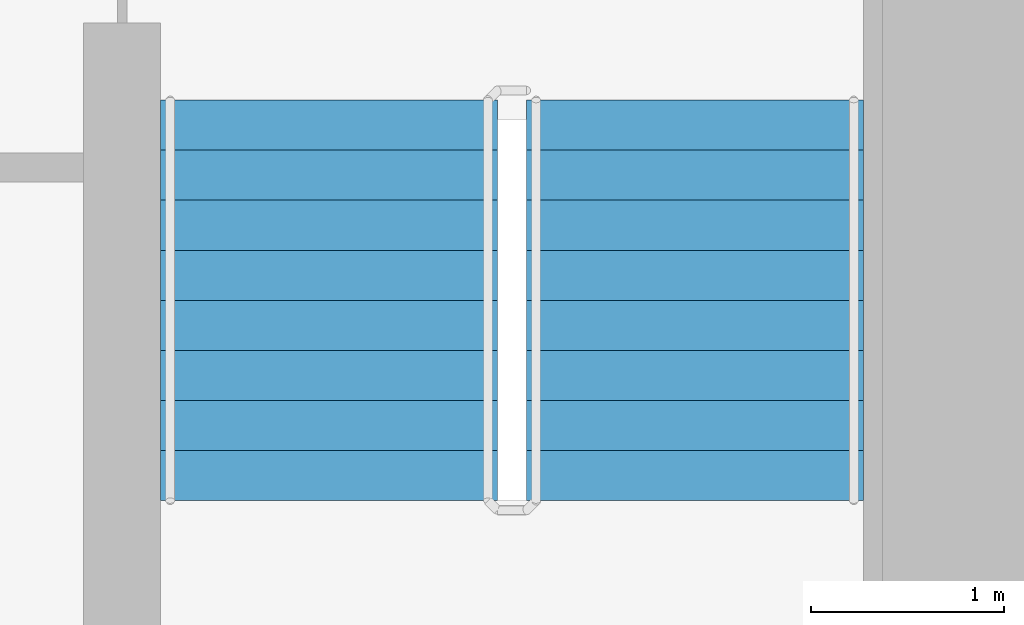
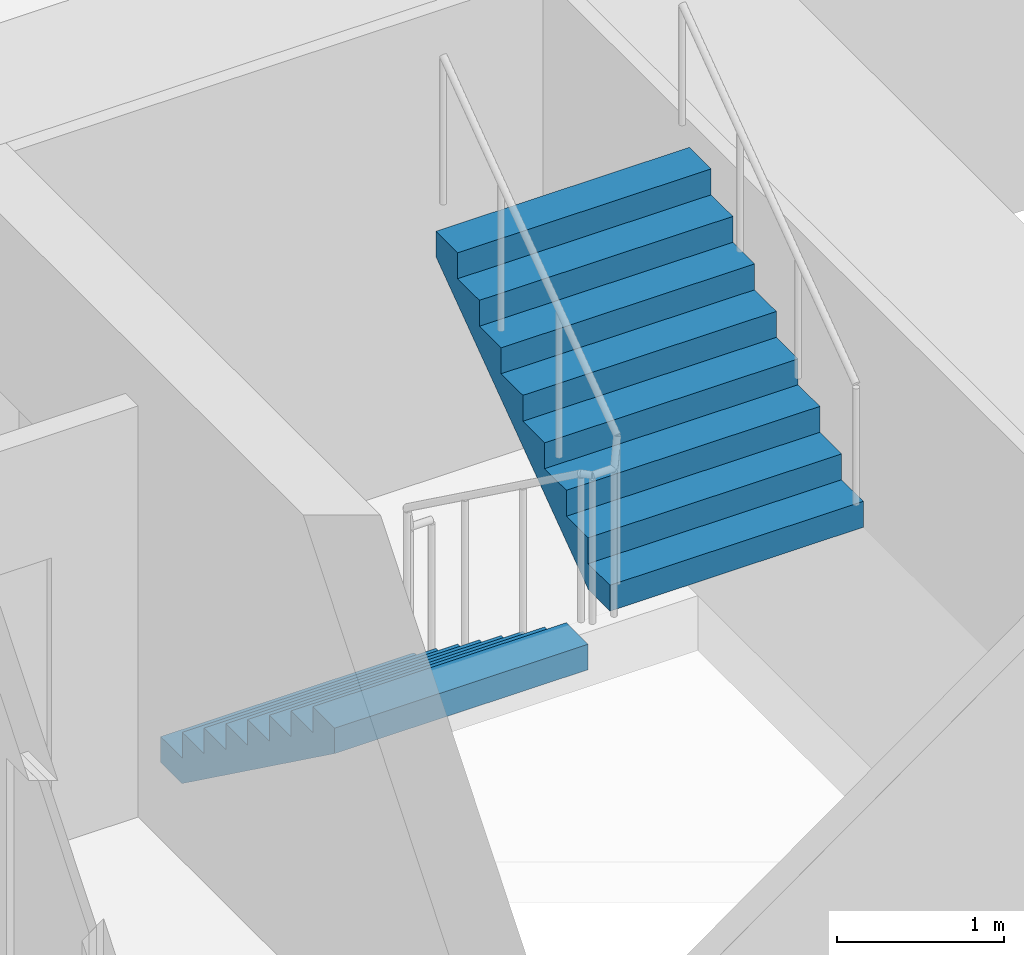
# One storey, part 19 of 22: 2 stair flights, 1 element without a shape of its own.
"""IFC4 building model written with IfcOpenShell, lengths in metres."""

from ifc_helpers import new_model, si_unit, direction, frame, origin, place, context, subcontext, project, spatial, faceted_brep, material, type_object, element, aggregate, save


model = new_model("IFC4")

# Units and contexts
model_context = context("Model", 3, precision=1e-05, world=origin(), true_north=direction((0.0, 1.0)))
body_context = subcontext(model_context, "Body", "Model", "MODEL_VIEW")
ifc_project = project(units=[si_unit("LENGTHUNIT", "METRE"), si_unit("AREAUNIT", "SQUARE_METRE"), si_unit("VOLUMEUNIT", "CUBIC_METRE"), si_unit("PLANEANGLEUNIT", "RADIAN"), si_unit("MASSUNIT", "GRAM", prefix="KILO")], contexts=[model_context])

# Site, building, storey
site_placement = place(None, origin())
site = spatial("IfcSite", under=ifc_project, at=site_placement, CompositionType="ELEMENT")
building_placement = place(site_placement, origin())
building = spatial("IfcBuilding", under=site, at=building_placement, Name="Ipe Terrace Towers", CompositionType="ELEMENT")
storey_placement = place(building_placement, frame((0.0, 0.0, 55.10009765625)))
storey = spatial("IfcBuildingStorey", under=building, at=storey_placement, Name="L14", CompositionType="ELEMENT", Elevation=55.10009765625)

# Stair, stair flights
ifc_material_1 = material(Name="Concrete C30/37", Category="concrete")
stair_type = type_object("IfcStairType", Name="Protected exit stair", PredefinedType="HALF_TURN_STAIR", material=ifc_material_1)
stair_placement = place(storey_placement, origin())
stair = element("IfcStair", 1, at=stair_placement, inside=storey, type_object=stair_type, Name="L14 Exit stair T2-C2", PredefinedType="HALF_TURN_STAIR")
ifc_material_2 = material(Name="Concrete C30/37", Category="concrete")
stair_flight_type = type_object("IfcStairFlightType", Name="Exit stair flight 1750", PredefinedType="STRAIGHT", material=ifc_material_2)
stair_flight_1_placement = place(storey_placement, frame((38.77490234375, -9.699951171875, 0.0), z_axis=(0.0, 0.0, 1.0), x_axis=(0.0, -1.0, 0.0)))
stair_flight_1 = element("IfcStairFlight", 2, at=stair_flight_1_placement, type_object=stair_flight_type, Name="T2-ST2 flight 1", NumberOfRisers=9, NumberOfTreads=8, PredefinedType="STRAIGHT", RiserHeight=0.188888889, TreadLength=0.26, context=body_context, shape_type="Brep", body=[
    faceted_brep([(0.255126953125, -0.875, 0.0), (2.080078125, -0.875, 1.325927734375), (2.080078125, -0.875, 1.51123046875), (1.820068359375, -0.875, 1.51123046875), (1.820068359375, -0.875, 1.322265625), (1.56005859375, -0.875, 1.322265625), (1.56005859375, -0.875, 1.13330078125), (1.300048828125, -0.875, 1.13330078125), (1.300048828125, -0.875, 0.9443359375), (1.0400390625, -0.875, 0.9443359375), (1.0400390625, -0.875, 0.755615234375), (0.780029296875, -0.875, 0.755615234375), (0.780029296875, -0.875, 0.566650390625), (0.52001953125, -0.875, 0.566650390625), (0.52001953125, -0.875, 0.377685546875), (0.260009765625, -0.875, 0.377685546875), (0.260009765625, -0.875, 0.18896484375), (0.0, -0.875, 0.18896484375), (0.0, -0.875, 0.0), (0.0, 0.875, 0.0), (0.0, 0.875, 0.18896484375), (0.260009765625, 0.875, 0.18896484375), (0.260009765625, 0.875, 0.377685546875), (0.52001953125, 0.875, 0.377685546875), (0.52001953125, 0.875, 0.566650390625), (0.780029296875, 0.875, 0.566650390625), (0.780029296875, 0.875, 0.755615234375), (1.0400390625, 0.875, 0.755615234375), (1.0400390625, 0.875, 0.9443359375), (1.300048828125, 0.875, 0.9443359375), (1.300048828125, 0.875, 1.13330078125), (1.56005859375, 0.875, 1.13330078125), (1.56005859375, 0.875, 1.322265625), (1.820068359375, 0.875, 1.322265625), (1.820068359375, 0.875, 1.51123046875), (2.080078125, 0.875, 1.51123046875), (2.080078125, 0.875, 1.325927734375), (0.255126953125, 0.875, 0.0), (0.0, -0.300048828125, 0.18896484375), (0.0, -0.1201171875, 0.18896484375), (0.0, -0.06005859375, 0.18896484375), (0.0, -0.030029296875, 0.18896484375), (0.0, -0.010009765625, 0.18896484375), (0.0, 0.0, 0.18896484375), (0.0, 0.010009765625, 0.18896484375), (0.0, 0.030029296875, 0.18896484375), (0.0, 0.06005859375, 0.18896484375), (0.0, 0.1201171875, 0.18896484375), (0.0, 0.300048828125, 0.18896484375), (0.0, 0.300048828125, 0.0), (0.0, 0.1201171875, 0.0), (0.0, 0.06005859375, 0.0), (0.0, 0.030029296875, 0.0), (0.0, 0.010009765625, 0.0), (0.0, 0.0, 0.0), (0.0, -0.010009765625, 0.0), (0.0, -0.030029296875, 0.0), (0.0, -0.06005859375, 0.0), (0.0, -0.1201171875, 0.0), (0.0, -0.300048828125, 0.0), (0.260009765625, -0.300048828125, 0.18896484375), (0.260009765625, -0.1201171875, 0.18896484375), (0.260009765625, -0.06005859375, 0.18896484375), (0.260009765625, -0.030029296875, 0.18896484375), (0.260009765625, -0.010009765625, 0.18896484375), (0.260009765625, 0.0, 0.18896484375), (0.260009765625, 0.010009765625, 0.18896484375), (0.260009765625, 0.030029296875, 0.18896484375), (0.260009765625, 0.06005859375, 0.18896484375), (0.260009765625, 0.1201171875, 0.18896484375), (0.260009765625, 0.300048828125, 0.18896484375), (0.260009765625, -0.300048828125, 0.377685546875), (0.260009765625, -0.1201171875, 0.377685546875), (0.260009765625, -0.06005859375, 0.377685546875), (0.260009765625, -0.030029296875, 0.377685546875), (0.260009765625, -0.010009765625, 0.377685546875), (0.260009765625, 0.0, 0.377685546875), (0.260009765625, 0.010009765625, 0.377685546875), (0.260009765625, 0.030029296875, 0.377685546875), (0.260009765625, 0.06005859375, 0.377685546875), (0.260009765625, 0.1201171875, 0.377685546875), (0.260009765625, 0.300048828125, 0.377685546875), (0.52001953125, -0.300048828125, 0.377685546875), (0.52001953125, -0.1201171875, 0.377685546875), (0.52001953125, -0.06005859375, 0.377685546875), (0.52001953125, -0.030029296875, 0.377685546875), (0.52001953125, -0.010009765625, 0.377685546875), (0.52001953125, 0.0, 0.377685546875), (0.52001953125, 0.010009765625, 0.377685546875), (0.52001953125, 0.030029296875, 0.377685546875), (0.52001953125, 0.06005859375, 0.377685546875), (0.52001953125, 0.1201171875, 0.377685546875), (0.52001953125, 0.300048828125, 0.377685546875), (0.52001953125, -0.300048828125, 0.566650390625), (0.52001953125, -0.1201171875, 0.566650390625), (0.52001953125, -0.06005859375, 0.566650390625), (0.52001953125, -0.030029296875, 0.566650390625), (0.52001953125, -0.010009765625, 0.566650390625), (0.52001953125, 0.0, 0.566650390625), (0.52001953125, 0.010009765625, 0.566650390625), (0.52001953125, 0.030029296875, 0.566650390625), (0.52001953125, 0.06005859375, 0.566650390625), (0.52001953125, 0.1201171875, 0.566650390625), (0.52001953125, 0.300048828125, 0.566650390625), (0.780029296875, -0.300048828125, 0.566650390625), (0.780029296875, -0.1201171875, 0.566650390625), (0.780029296875, -0.06005859375, 0.566650390625), (0.780029296875, -0.030029296875, 0.566650390625), (0.780029296875, -0.010009765625, 0.566650390625), (0.780029296875, 0.0, 0.566650390625), (0.780029296875, 0.010009765625, 0.566650390625), (0.780029296875, 0.030029296875, 0.566650390625), (0.780029296875, 0.06005859375, 0.566650390625), (0.780029296875, 0.1201171875, 0.566650390625), (0.780029296875, 0.300048828125, 0.566650390625), (0.780029296875, -0.300048828125, 0.755615234375), (0.780029296875, -0.1201171875, 0.755615234375), (0.780029296875, -0.06005859375, 0.755615234375), (0.780029296875, -0.030029296875, 0.755615234375), (0.780029296875, -0.010009765625, 0.755615234375), (0.780029296875, 0.0, 0.755615234375), (0.780029296875, 0.010009765625, 0.755615234375), (0.780029296875, 0.030029296875, 0.755615234375), (0.780029296875, 0.06005859375, 0.755615234375), (0.780029296875, 0.1201171875, 0.755615234375), (0.780029296875, 0.300048828125, 0.755615234375), (1.0400390625, -0.300048828125, 0.755615234375), (1.0400390625, -0.1201171875, 0.755615234375), (1.0400390625, -0.06005859375, 0.755615234375), (1.0400390625, -0.030029296875, 0.755615234375), (1.0400390625, -0.010009765625, 0.755615234375), (1.0400390625, 0.0, 0.755615234375), (1.0400390625, 0.010009765625, 0.755615234375), (1.0400390625, 0.030029296875, 0.755615234375), (1.0400390625, 0.06005859375, 0.755615234375), (1.0400390625, 0.1201171875, 0.755615234375), (1.0400390625, 0.300048828125, 0.755615234375), (1.0400390625, -0.300048828125, 0.9443359375), (1.0400390625, -0.1201171875, 0.9443359375), (1.0400390625, -0.06005859375, 0.9443359375), (1.0400390625, -0.030029296875, 0.9443359375), (1.0400390625, -0.010009765625, 0.9443359375), (1.0400390625, 0.0, 0.9443359375), (1.0400390625, 0.010009765625, 0.9443359375), (1.0400390625, 0.030029296875, 0.9443359375), (1.0400390625, 0.06005859375, 0.9443359375), (1.0400390625, 0.1201171875, 0.9443359375), (1.0400390625, 0.300048828125, 0.9443359375), (1.300048828125, -0.300048828125, 0.9443359375), (1.300048828125, -0.1201171875, 0.9443359375), (1.300048828125, -0.06005859375, 0.9443359375), (1.300048828125, -0.030029296875, 0.9443359375), (1.300048828125, -0.010009765625, 0.9443359375), (1.300048828125, 0.0, 0.9443359375), (1.300048828125, 0.010009765625, 0.9443359375), (1.300048828125, 0.030029296875, 0.9443359375), (1.300048828125, 0.06005859375, 0.9443359375), (1.300048828125, 0.1201171875, 0.9443359375), (1.300048828125, 0.300048828125, 0.9443359375), (1.300048828125, -0.300048828125, 1.13330078125), (1.300048828125, -0.1201171875, 1.13330078125), (1.300048828125, -0.06005859375, 1.13330078125), (1.300048828125, -0.030029296875, 1.13330078125), (1.300048828125, -0.010009765625, 1.13330078125), (1.300048828125, 0.0, 1.13330078125), (1.300048828125, 0.010009765625, 1.13330078125), (1.300048828125, 0.030029296875, 1.13330078125), (1.300048828125, 0.06005859375, 1.13330078125), (1.300048828125, 0.1201171875, 1.13330078125), (1.300048828125, 0.300048828125, 1.13330078125), (1.56005859375, -0.300048828125, 1.13330078125), (1.56005859375, -0.1201171875, 1.13330078125), (1.56005859375, -0.06005859375, 1.13330078125), (1.56005859375, -0.030029296875, 1.13330078125), (1.56005859375, -0.010009765625, 1.13330078125), (1.56005859375, 0.0, 1.13330078125), (1.56005859375, 0.010009765625, 1.13330078125), (1.56005859375, 0.030029296875, 1.13330078125), (1.56005859375, 0.06005859375, 1.13330078125), (1.56005859375, 0.1201171875, 1.13330078125), (1.56005859375, 0.300048828125, 1.13330078125), (1.56005859375, -0.300048828125, 1.322265625), (1.56005859375, -0.1201171875, 1.322265625), (1.56005859375, -0.06005859375, 1.322265625), (1.56005859375, -0.030029296875, 1.322265625), (1.56005859375, -0.010009765625, 1.322265625), (1.56005859375, 0.0, 1.322265625), (1.56005859375, 0.010009765625, 1.322265625), (1.56005859375, 0.030029296875, 1.322265625), (1.56005859375, 0.06005859375, 1.322265625), (1.56005859375, 0.1201171875, 1.322265625), (1.56005859375, 0.300048828125, 1.322265625), (1.820068359375, -0.300048828125, 1.322265625), (1.820068359375, -0.1201171875, 1.322265625), (1.820068359375, -0.06005859375, 1.322265625), (1.820068359375, -0.030029296875, 1.322265625), (1.820068359375, -0.010009765625, 1.322265625), (1.820068359375, 0.0, 1.322265625), (1.820068359375, 0.010009765625, 1.322265625), (1.820068359375, 0.030029296875, 1.322265625), (1.820068359375, 0.06005859375, 1.322265625), (1.820068359375, 0.1201171875, 1.322265625), (1.820068359375, 0.300048828125, 1.322265625), (1.820068359375, -0.300048828125, 1.51123046875), (1.820068359375, -0.1201171875, 1.51123046875), (1.820068359375, -0.06005859375, 1.51123046875), (1.820068359375, -0.030029296875, 1.51123046875), (1.820068359375, -0.010009765625, 1.51123046875), (1.820068359375, 0.0, 1.51123046875), (1.820068359375, 0.010009765625, 1.51123046875), (1.820068359375, 0.030029296875, 1.51123046875), (1.820068359375, 0.06005859375, 1.51123046875), (1.820068359375, 0.1201171875, 1.51123046875), (1.820068359375, 0.300048828125, 1.51123046875), (2.080078125, -0.300048828125, 1.51123046875), (2.080078125, -0.1201171875, 1.51123046875), (2.080078125, -0.06005859375, 1.51123046875), (2.080078125, -0.030029296875, 1.51123046875), (2.080078125, -0.010009765625, 1.51123046875), (2.080078125, 0.0, 1.51123046875), (2.080078125, 0.010009765625, 1.51123046875), (2.080078125, 0.030029296875, 1.51123046875), (2.080078125, 0.06005859375, 1.51123046875), (2.080078125, 0.1201171875, 1.51123046875), (2.080078125, 0.300048828125, 1.51123046875), (2.080078125, -0.300048828125, 1.325927734375), (2.080078125, -0.1201171875, 1.325927734375), (2.080078125, -0.06005859375, 1.325927734375), (2.080078125, -0.030029296875, 1.325927734375), (2.080078125, -0.010009765625, 1.325927734375), (2.080078125, 0.0, 1.325927734375), (2.080078125, 0.010009765625, 1.325927734375), (2.080078125, 0.030029296875, 1.325927734375), (2.080078125, 0.06005859375, 1.325927734375), (2.080078125, 0.1201171875, 1.325927734375), (2.080078125, 0.300048828125, 1.325927734375), (0.255126953125, -0.300048828125, 0.0), (0.255126953125, -0.1201171875, 0.0), (0.255126953125, -0.06005859375, 0.0), (0.255126953125, -0.030029296875, 0.0), (0.255126953125, -0.010009765625, 0.0), (0.255126953125, 0.0, 0.0), (0.255126953125, 0.010009765625, 0.0), (0.255126953125, 0.030029296875, 0.0), (0.255126953125, 0.06005859375, 0.0), (0.255126953125, 0.1201171875, 0.0), (0.255126953125, 0.300048828125, 0.0)], [[[0, 1, 2, 3, 4, 5, 6, 7, 8, 9, 10, 11, 12, 13, 14, 15, 16, 17, 18]], [[19, 20, 21, 22, 23, 24, 25, 26, 27, 28, 29, 30, 31, 32, 33, 34, 35, 36, 37]], [[17, 38, 39, 40, 41, 42, 43, 44, 45, 46, 47, 48, 20, 19, 49, 50, 51, 52, 53, 54, 55, 56, 57, 58, 59, 18]], [[16, 60, 61, 62, 63, 64, 65, 66, 67, 68, 69, 70, 21, 20, 48, 47, 46, 45, 44, 43, 42, 41, 40, 39, 38, 17]], [[15, 71, 72, 73, 74, 75, 76, 77, 78, 79, 80, 81, 22, 21, 70, 69, 68, 67, 66, 65, 64, 63, 62, 61, 60, 16]], [[14, 82, 83, 84, 85, 86, 87, 88, 89, 90, 91, 92, 23, 22, 81, 80, 79, 78, 77, 76, 75, 74, 73, 72, 71, 15]], [[13, 93, 94, 95, 96, 97, 98, 99, 100, 101, 102, 103, 24, 23, 92, 91, 90, 89, 88, 87, 86, 85, 84, 83, 82, 14]], [[12, 104, 105, 106, 107, 108, 109, 110, 111, 112, 113, 114, 25, 24, 103, 102, 101, 100, 99, 98, 97, 96, 95, 94, 93, 13]], [[11, 115, 116, 117, 118, 119, 120, 121, 122, 123, 124, 125, 26, 25, 114, 113, 112, 111, 110, 109, 108, 107, 106, 105, 104, 12]], [[10, 126, 127, 128, 129, 130, 131, 132, 133, 134, 135, 136, 27, 26, 125, 124, 123, 122, 121, 120, 119, 118, 117, 116, 115, 11]], [[9, 137, 138, 139, 140, 141, 142, 143, 144, 145, 146, 147, 28, 27, 136, 135, 134, 133, 132, 131, 130, 129, 128, 127, 126, 10]], [[8, 148, 149, 150, 151, 152, 153, 154, 155, 156, 157, 158, 29, 28, 147, 146, 145, 144, 143, 142, 141, 140, 139, 138, 137, 9]], [[7, 159, 160, 161, 162, 163, 164, 165, 166, 167, 168, 169, 30, 29, 158, 157, 156, 155, 154, 153, 152, 151, 150, 149, 148, 8]], [[6, 170, 171, 172, 173, 174, 175, 176, 177, 178, 179, 180, 31, 30, 169, 168, 167, 166, 165, 164, 163, 162, 161, 160, 159, 7]], [[5, 181, 182, 183, 184, 185, 186, 187, 188, 189, 190, 191, 32, 31, 180, 179, 178, 177, 176, 175, 174, 173, 172, 171, 170, 6]], [[4, 192, 193, 194, 195, 196, 197, 198, 199, 200, 201, 202, 33, 32, 191, 190, 189, 188, 187, 186, 185, 184, 183, 182, 181, 5]], [[3, 203, 204, 205, 206, 207, 208, 209, 210, 211, 212, 213, 34, 33, 202, 201, 200, 199, 198, 197, 196, 195, 194, 193, 192, 4]], [[2, 214, 215, 216, 217, 218, 219, 220, 221, 222, 223, 224, 35, 34, 213, 212, 211, 210, 209, 208, 207, 206, 205, 204, 203, 3]], [[1, 225, 226, 227, 228, 229, 230, 231, 232, 233, 234, 235, 36, 35, 224, 223, 222, 221, 220, 219, 218, 217, 216, 215, 214, 2]], [[0, 236, 237, 238, 239, 240, 241, 242, 243, 244, 245, 246, 37, 36, 235, 234, 233, 232, 231, 230, 229, 228, 227, 226, 225, 1]], [[18, 59, 58, 57, 56, 55, 54, 53, 52, 51, 50, 49, 19, 37, 246, 245, 244, 243, 242, 241, 240, 239, 238, 237, 236, 0]]]),
])
stair_flight_2_placement = place(storey_placement, frame((40.675048828125, -11.780029296875, 1.699951171875), z_axis=(0.0, 0.0, 1.0), x_axis=(0.0, 1.0, 0.0)))
stair_flight_2 = element("IfcStairFlight", 3, at=stair_flight_2_placement, type_object=stair_flight_type, Name="T2-ST2 flight 2", NumberOfRisers=9, NumberOfTreads=8, PredefinedType="STRAIGHT", RiserHeight=0.188888889, TreadLength=0.26, context=body_context, shape_type="Brep", body=[
    faceted_brep([(0.255126953125, -0.875, 0.0), (2.080078125, -0.875, 1.325927734375), (2.080078125, -0.875, 1.51123046875), (1.820068359375, -0.875, 1.51123046875), (1.820068359375, -0.875, 1.322265625), (1.56005859375, -0.875, 1.322265625), (1.56005859375, -0.875, 1.13330078125), (1.300048828125, -0.875, 1.13330078125), (1.300048828125, -0.875, 0.9443359375), (1.0400390625, -0.875, 0.9443359375), (1.0400390625, -0.875, 0.755615234375), (0.780029296875, -0.875, 0.755615234375), (0.780029296875, -0.875, 0.566650390625), (0.52001953125, -0.875, 0.566650390625), (0.52001953125, -0.875, 0.377685546875), (0.260009765625, -0.875, 0.377685546875), (0.260009765625, -0.875, 0.18896484375), (0.0, -0.875, 0.18896484375), (0.0, -0.875, 0.0), (0.0, 0.875, 0.0), (0.0, 0.875, 0.18896484375), (0.260009765625, 0.875, 0.18896484375), (0.260009765625, 0.875, 0.377685546875), (0.52001953125, 0.875, 0.377685546875), (0.52001953125, 0.875, 0.566650390625), (0.780029296875, 0.875, 0.566650390625), (0.780029296875, 0.875, 0.755615234375), (1.0400390625, 0.875, 0.755615234375), (1.0400390625, 0.875, 0.9443359375), (1.300048828125, 0.875, 0.9443359375), (1.300048828125, 0.875, 1.13330078125), (1.56005859375, 0.875, 1.13330078125), (1.56005859375, 0.875, 1.322265625), (1.820068359375, 0.875, 1.322265625), (1.820068359375, 0.875, 1.51123046875), (2.080078125, 0.875, 1.51123046875), (2.080078125, 0.875, 1.325927734375), (0.255126953125, 0.875, 0.0), (0.0, -0.300048828125, 0.18896484375), (0.0, -0.1201171875, 0.18896484375), (0.0, -0.06005859375, 0.18896484375), (0.0, -0.030029296875, 0.18896484375), (0.0, -0.010009765625, 0.18896484375), (0.0, 0.0, 0.18896484375), (0.0, 0.010009765625, 0.18896484375), (0.0, 0.030029296875, 0.18896484375), (0.0, 0.06005859375, 0.18896484375), (0.0, 0.1201171875, 0.18896484375), (0.0, 0.300048828125, 0.18896484375), (0.0, 0.300048828125, 0.0), (0.0, 0.1201171875, 0.0), (0.0, 0.06005859375, 0.0), (0.0, 0.030029296875, 0.0), (0.0, 0.010009765625, 0.0), (0.0, 0.0, 0.0), (0.0, -0.010009765625, 0.0), (0.0, -0.030029296875, 0.0), (0.0, -0.06005859375, 0.0), (0.0, -0.1201171875, 0.0), (0.0, -0.300048828125, 0.0), (0.260009765625, -0.300048828125, 0.18896484375), (0.260009765625, -0.1201171875, 0.18896484375), (0.260009765625, -0.06005859375, 0.18896484375), (0.260009765625, -0.030029296875, 0.18896484375), (0.260009765625, -0.010009765625, 0.18896484375), (0.260009765625, 0.0, 0.18896484375), (0.260009765625, 0.010009765625, 0.18896484375), (0.260009765625, 0.030029296875, 0.18896484375), (0.260009765625, 0.06005859375, 0.18896484375), (0.260009765625, 0.1201171875, 0.18896484375), (0.260009765625, 0.300048828125, 0.18896484375), (0.260009765625, -0.300048828125, 0.377685546875), (0.260009765625, -0.1201171875, 0.377685546875), (0.260009765625, -0.06005859375, 0.377685546875), (0.260009765625, -0.030029296875, 0.377685546875), (0.260009765625, -0.010009765625, 0.377685546875), (0.260009765625, 0.0, 0.377685546875), (0.260009765625, 0.010009765625, 0.377685546875), (0.260009765625, 0.030029296875, 0.377685546875), (0.260009765625, 0.06005859375, 0.377685546875), (0.260009765625, 0.1201171875, 0.377685546875), (0.260009765625, 0.300048828125, 0.377685546875), (0.52001953125, -0.300048828125, 0.377685546875), (0.52001953125, -0.1201171875, 0.377685546875), (0.52001953125, -0.06005859375, 0.377685546875), (0.52001953125, -0.030029296875, 0.377685546875), (0.52001953125, -0.010009765625, 0.377685546875), (0.52001953125, 0.0, 0.377685546875), (0.52001953125, 0.010009765625, 0.377685546875), (0.52001953125, 0.030029296875, 0.377685546875), (0.52001953125, 0.06005859375, 0.377685546875), (0.52001953125, 0.1201171875, 0.377685546875), (0.52001953125, 0.300048828125, 0.377685546875), (0.52001953125, -0.300048828125, 0.566650390625), (0.52001953125, -0.1201171875, 0.566650390625), (0.52001953125, -0.06005859375, 0.566650390625), (0.52001953125, -0.030029296875, 0.566650390625), (0.52001953125, -0.010009765625, 0.566650390625), (0.52001953125, 0.0, 0.566650390625), (0.52001953125, 0.010009765625, 0.566650390625), (0.52001953125, 0.030029296875, 0.566650390625), (0.52001953125, 0.06005859375, 0.566650390625), (0.52001953125, 0.1201171875, 0.566650390625), (0.52001953125, 0.300048828125, 0.566650390625), (0.780029296875, -0.300048828125, 0.566650390625), (0.780029296875, -0.1201171875, 0.566650390625), (0.780029296875, -0.06005859375, 0.566650390625), (0.780029296875, -0.030029296875, 0.566650390625), (0.780029296875, -0.010009765625, 0.566650390625), (0.780029296875, 0.0, 0.566650390625), (0.780029296875, 0.010009765625, 0.566650390625), (0.780029296875, 0.030029296875, 0.566650390625), (0.780029296875, 0.06005859375, 0.566650390625), (0.780029296875, 0.1201171875, 0.566650390625), (0.780029296875, 0.300048828125, 0.566650390625), (0.780029296875, -0.300048828125, 0.755615234375), (0.780029296875, -0.1201171875, 0.755615234375), (0.780029296875, -0.06005859375, 0.755615234375), (0.780029296875, -0.030029296875, 0.755615234375), (0.780029296875, -0.010009765625, 0.755615234375), (0.780029296875, 0.0, 0.755615234375), (0.780029296875, 0.010009765625, 0.755615234375), (0.780029296875, 0.030029296875, 0.755615234375), (0.780029296875, 0.06005859375, 0.755615234375), (0.780029296875, 0.1201171875, 0.755615234375), (0.780029296875, 0.300048828125, 0.755615234375), (1.0400390625, -0.300048828125, 0.755615234375), (1.0400390625, -0.1201171875, 0.755615234375), (1.0400390625, -0.06005859375, 0.755615234375), (1.0400390625, -0.030029296875, 0.755615234375), (1.0400390625, -0.010009765625, 0.755615234375), (1.0400390625, 0.0, 0.755615234375), (1.0400390625, 0.010009765625, 0.755615234375), (1.0400390625, 0.030029296875, 0.755615234375), (1.0400390625, 0.06005859375, 0.755615234375), (1.0400390625, 0.1201171875, 0.755615234375), (1.0400390625, 0.300048828125, 0.755615234375), (1.0400390625, -0.300048828125, 0.9443359375), (1.0400390625, -0.1201171875, 0.9443359375), (1.0400390625, -0.06005859375, 0.9443359375), (1.0400390625, -0.030029296875, 0.9443359375), (1.0400390625, -0.010009765625, 0.9443359375), (1.0400390625, 0.0, 0.9443359375), (1.0400390625, 0.010009765625, 0.9443359375), (1.0400390625, 0.030029296875, 0.9443359375), (1.0400390625, 0.06005859375, 0.9443359375), (1.0400390625, 0.1201171875, 0.9443359375), (1.0400390625, 0.300048828125, 0.9443359375), (1.300048828125, -0.300048828125, 0.9443359375), (1.300048828125, -0.1201171875, 0.9443359375), (1.300048828125, -0.06005859375, 0.9443359375), (1.300048828125, -0.030029296875, 0.9443359375), (1.300048828125, -0.010009765625, 0.9443359375), (1.300048828125, 0.0, 0.9443359375), (1.300048828125, 0.010009765625, 0.9443359375), (1.300048828125, 0.030029296875, 0.9443359375), (1.300048828125, 0.06005859375, 0.9443359375), (1.300048828125, 0.1201171875, 0.9443359375), (1.300048828125, 0.300048828125, 0.9443359375), (1.300048828125, -0.300048828125, 1.13330078125), (1.300048828125, -0.1201171875, 1.13330078125), (1.300048828125, -0.06005859375, 1.13330078125), (1.300048828125, -0.030029296875, 1.13330078125), (1.300048828125, -0.010009765625, 1.13330078125), (1.300048828125, 0.0, 1.13330078125), (1.300048828125, 0.010009765625, 1.13330078125), (1.300048828125, 0.030029296875, 1.13330078125), (1.300048828125, 0.06005859375, 1.13330078125), (1.300048828125, 0.1201171875, 1.13330078125), (1.300048828125, 0.300048828125, 1.13330078125), (1.56005859375, -0.300048828125, 1.13330078125), (1.56005859375, -0.1201171875, 1.13330078125), (1.56005859375, -0.06005859375, 1.13330078125), (1.56005859375, -0.030029296875, 1.13330078125), (1.56005859375, -0.010009765625, 1.13330078125), (1.56005859375, 0.0, 1.13330078125), (1.56005859375, 0.010009765625, 1.13330078125), (1.56005859375, 0.030029296875, 1.13330078125), (1.56005859375, 0.06005859375, 1.13330078125), (1.56005859375, 0.1201171875, 1.13330078125), (1.56005859375, 0.300048828125, 1.13330078125), (1.56005859375, -0.300048828125, 1.322265625), (1.56005859375, -0.1201171875, 1.322265625), (1.56005859375, -0.06005859375, 1.322265625), (1.56005859375, -0.030029296875, 1.322265625), (1.56005859375, -0.010009765625, 1.322265625), (1.56005859375, 0.0, 1.322265625), (1.56005859375, 0.010009765625, 1.322265625), (1.56005859375, 0.030029296875, 1.322265625), (1.56005859375, 0.06005859375, 1.322265625), (1.56005859375, 0.1201171875, 1.322265625), (1.56005859375, 0.300048828125, 1.322265625), (1.820068359375, -0.300048828125, 1.322265625), (1.820068359375, -0.1201171875, 1.322265625), (1.820068359375, -0.06005859375, 1.322265625), (1.820068359375, -0.030029296875, 1.322265625), (1.820068359375, -0.010009765625, 1.322265625), (1.820068359375, 0.0, 1.322265625), (1.820068359375, 0.010009765625, 1.322265625), (1.820068359375, 0.030029296875, 1.322265625), (1.820068359375, 0.06005859375, 1.322265625), (1.820068359375, 0.1201171875, 1.322265625), (1.820068359375, 0.300048828125, 1.322265625), (1.820068359375, -0.300048828125, 1.51123046875), (1.820068359375, -0.1201171875, 1.51123046875), (1.820068359375, -0.06005859375, 1.51123046875), (1.820068359375, -0.030029296875, 1.51123046875), (1.820068359375, -0.010009765625, 1.51123046875), (1.820068359375, 0.0, 1.51123046875), (1.820068359375, 0.010009765625, 1.51123046875), (1.820068359375, 0.030029296875, 1.51123046875), (1.820068359375, 0.06005859375, 1.51123046875), (1.820068359375, 0.1201171875, 1.51123046875), (1.820068359375, 0.300048828125, 1.51123046875), (2.080078125, -0.300048828125, 1.51123046875), (2.080078125, -0.1201171875, 1.51123046875), (2.080078125, -0.06005859375, 1.51123046875), (2.080078125, -0.030029296875, 1.51123046875), (2.080078125, -0.010009765625, 1.51123046875), (2.080078125, 0.0, 1.51123046875), (2.080078125, 0.010009765625, 1.51123046875), (2.080078125, 0.030029296875, 1.51123046875), (2.080078125, 0.06005859375, 1.51123046875), (2.080078125, 0.1201171875, 1.51123046875), (2.080078125, 0.300048828125, 1.51123046875), (2.080078125, -0.300048828125, 1.325927734375), (2.080078125, -0.1201171875, 1.325927734375), (2.080078125, -0.06005859375, 1.325927734375), (2.080078125, -0.030029296875, 1.325927734375), (2.080078125, -0.010009765625, 1.325927734375), (2.080078125, 0.0, 1.325927734375), (2.080078125, 0.010009765625, 1.325927734375), (2.080078125, 0.030029296875, 1.325927734375), (2.080078125, 0.06005859375, 1.325927734375), (2.080078125, 0.1201171875, 1.325927734375), (2.080078125, 0.300048828125, 1.325927734375), (0.255126953125, -0.300048828125, 0.0), (0.255126953125, -0.1201171875, 0.0), (0.255126953125, -0.06005859375, 0.0), (0.255126953125, -0.030029296875, 0.0), (0.255126953125, -0.010009765625, 0.0), (0.255126953125, 0.0, 0.0), (0.255126953125, 0.010009765625, 0.0), (0.255126953125, 0.030029296875, 0.0), (0.255126953125, 0.06005859375, 0.0), (0.255126953125, 0.1201171875, 0.0), (0.255126953125, 0.300048828125, 0.0)], [[[0, 1, 2, 3, 4, 5, 6, 7, 8, 9, 10, 11, 12, 13, 14, 15, 16, 17, 18]], [[19, 20, 21, 22, 23, 24, 25, 26, 27, 28, 29, 30, 31, 32, 33, 34, 35, 36, 37]], [[17, 38, 39, 40, 41, 42, 43, 44, 45, 46, 47, 48, 20, 19, 49, 50, 51, 52, 53, 54, 55, 56, 57, 58, 59, 18]], [[16, 60, 61, 62, 63, 64, 65, 66, 67, 68, 69, 70, 21, 20, 48, 47, 46, 45, 44, 43, 42, 41, 40, 39, 38, 17]], [[15, 71, 72, 73, 74, 75, 76, 77, 78, 79, 80, 81, 22, 21, 70, 69, 68, 67, 66, 65, 64, 63, 62, 61, 60, 16]], [[14, 82, 83, 84, 85, 86, 87, 88, 89, 90, 91, 92, 23, 22, 81, 80, 79, 78, 77, 76, 75, 74, 73, 72, 71, 15]], [[13, 93, 94, 95, 96, 97, 98, 99, 100, 101, 102, 103, 24, 23, 92, 91, 90, 89, 88, 87, 86, 85, 84, 83, 82, 14]], [[12, 104, 105, 106, 107, 108, 109, 110, 111, 112, 113, 114, 25, 24, 103, 102, 101, 100, 99, 98, 97, 96, 95, 94, 93, 13]], [[11, 115, 116, 117, 118, 119, 120, 121, 122, 123, 124, 125, 26, 25, 114, 113, 112, 111, 110, 109, 108, 107, 106, 105, 104, 12]], [[10, 126, 127, 128, 129, 130, 131, 132, 133, 134, 135, 136, 27, 26, 125, 124, 123, 122, 121, 120, 119, 118, 117, 116, 115, 11]], [[9, 137, 138, 139, 140, 141, 142, 143, 144, 145, 146, 147, 28, 27, 136, 135, 134, 133, 132, 131, 130, 129, 128, 127, 126, 10]], [[8, 148, 149, 150, 151, 152, 153, 154, 155, 156, 157, 158, 29, 28, 147, 146, 145, 144, 143, 142, 141, 140, 139, 138, 137, 9]], [[7, 159, 160, 161, 162, 163, 164, 165, 166, 167, 168, 169, 30, 29, 158, 157, 156, 155, 154, 153, 152, 151, 150, 149, 148, 8]], [[6, 170, 171, 172, 173, 174, 175, 176, 177, 178, 179, 180, 31, 30, 169, 168, 167, 166, 165, 164, 163, 162, 161, 160, 159, 7]], [[5, 181, 182, 183, 184, 185, 186, 187, 188, 189, 190, 191, 32, 31, 180, 179, 178, 177, 176, 175, 174, 173, 172, 171, 170, 6]], [[4, 192, 193, 194, 195, 196, 197, 198, 199, 200, 201, 202, 33, 32, 191, 190, 189, 188, 187, 186, 185, 184, 183, 182, 181, 5]], [[3, 203, 204, 205, 206, 207, 208, 209, 210, 211, 212, 213, 34, 33, 202, 201, 200, 199, 198, 197, 196, 195, 194, 193, 192, 4]], [[2, 214, 215, 216, 217, 218, 219, 220, 221, 222, 223, 224, 35, 34, 213, 212, 211, 210, 209, 208, 207, 206, 205, 204, 203, 3]], [[1, 225, 226, 227, 228, 229, 230, 231, 232, 233, 234, 235, 36, 35, 224, 223, 222, 221, 220, 219, 218, 217, 216, 215, 214, 2]], [[0, 236, 237, 238, 239, 240, 241, 242, 243, 244, 245, 246, 37, 36, 235, 234, 233, 232, 231, 230, 229, 228, 227, 226, 225, 1]], [[18, 59, 58, 57, 56, 55, 54, 53, 52, 51, 50, 49, 19, 37, 246, 245, 244, 243, 242, 241, 240, 239, 238, 237, 236, 0]]]),
])
aggregate(stair, [stair_flight_1, stair_flight_2])

save(model, "model.ifc")
